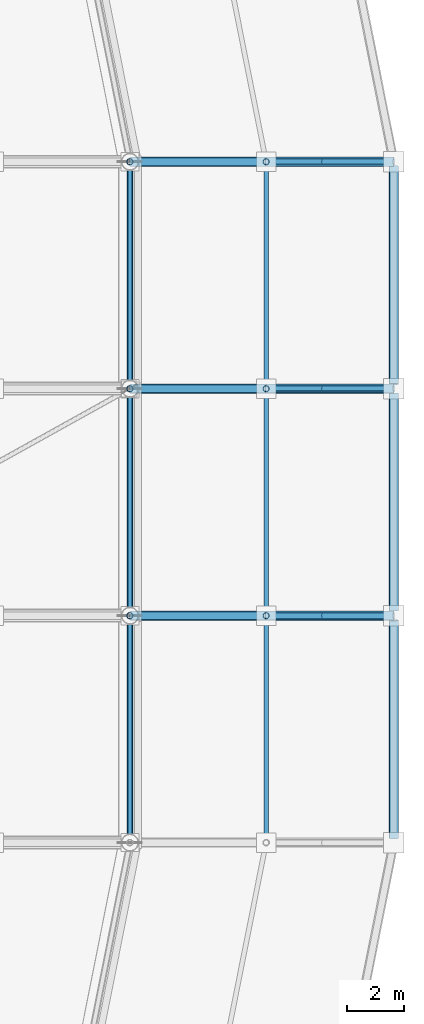
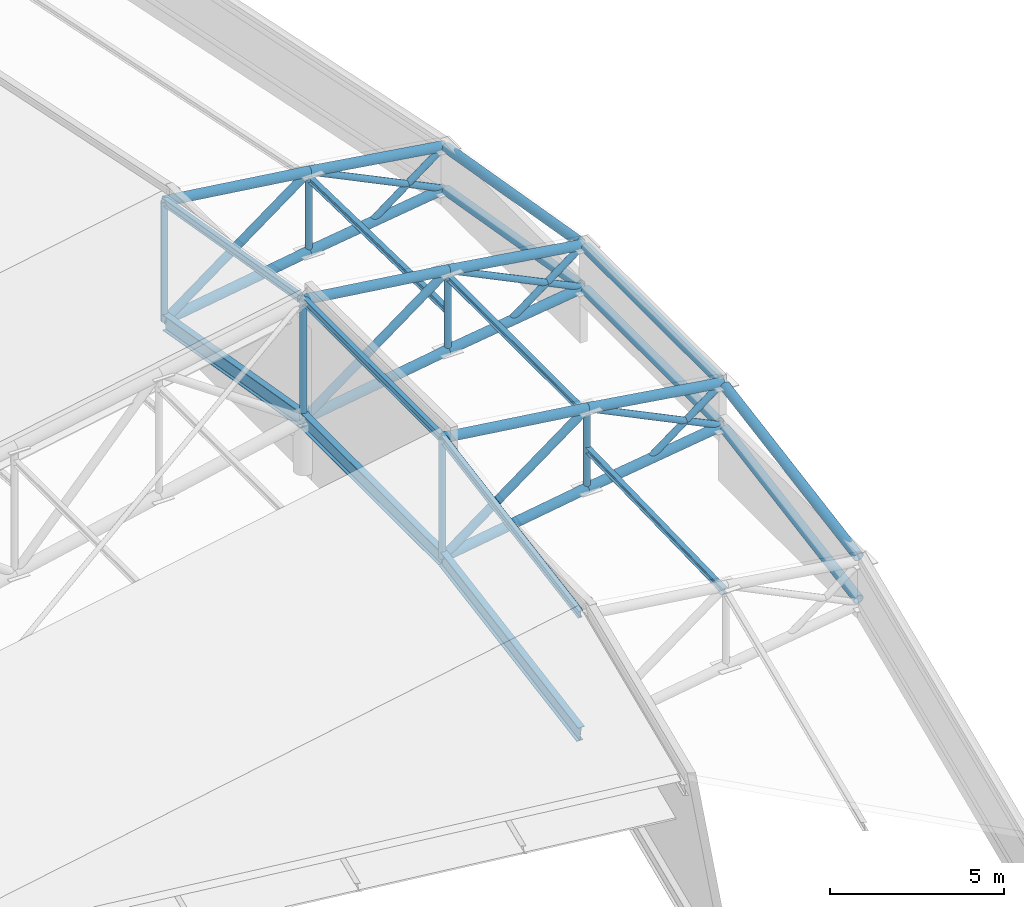
# One storey, part 86 of 146: 36 members, 6 beams.
"""IFC4 building model written with IfcOpenShell, lengths in metres."""

from ifc_helpers import new_model, si_unit, direction, frame, origin, origin_2d, place, context, subcontext, project, spatial, hollow_circle, i_section, extrude, material, material_profile, profile_set, type_object, element, save


model = new_model("IFC4")

# Units and contexts
model_context = context("Model", 3, precision=1e-05, world=origin(), true_north=direction((0.0, 1.0)))
body_context = subcontext(model_context, "Body", "Model", "MODEL_VIEW")
ifc_project = project(units=[si_unit("LENGTHUNIT", "METRE"), si_unit("AREAUNIT", "SQUARE_METRE"), si_unit("VOLUMEUNIT", "CUBIC_METRE"), si_unit("PLANEANGLEUNIT", "RADIAN"), si_unit("MASSUNIT", "GRAM", prefix="KILO")], contexts=[model_context])

# Site, building, storey
site_placement = place(None, origin())
site = spatial("IfcSite", under=ifc_project, at=site_placement, CompositionType="ELEMENT")
building_placement = place(site_placement, origin())
building = spatial("IfcBuilding", under=site, at=building_placement, Name="Candeia Ridge Stadium", CompositionType="ELEMENT")
storey_placement = place(building_placement, frame((0.0, 0.0, 31.800048828125)))
storey = spatial("IfcBuildingStorey", under=building, at=storey_placement, Name="RF", CompositionType="ELEMENT", Elevation=31.800048828125)

# Beams
ifc_material = material(Name="Steel ASTM A572 Grade 50", Category="steel")
ifc_material_profile_1 = material_profile(ifc_material, i_section(OverallWidth=0.14794921875, OverallDepth=0.26611328125, WebThickness=0.007568359375, FlangeThickness=0.012939453125, FilletRadius=0.010986328125, at=origin_2d()), Name="W250x44.8", Category="steel")
ifc_profile_set_1 = profile_set([ifc_material_profile_1], Name="Steel ASTM A572 Grade 50")
beam_type_1 = type_object("IfcBeamType", Name="Canopy Edge Spandrel W250x44.8", PredefinedType="SPANDREL", material=ifc_profile_set_1)
beam_1_placement = place(storey_placement, frame((193.0, 71.039306640625, 4.606689453125), z_axis=(0.0, 0.985328318339, 0.170669578656), x_axis=(-1.0, 0.0, 0.0)))
element("IfcBeam", 1, at=beam_1_placement, inside=storey, type_object=beam_type_1, Name="Roof crown cap ring beam bay 30", PredefinedType="SPANDREL", context=body_context, shape_type="SweptSolid", body=[
    extrude(i_section(OverallWidth=0.14794921875, OverallDepth=0.26611328125, WebThickness=0.007568359375, FlangeThickness=0.012939453125, FilletRadius=0.010986328125, at=origin_2d()), origin(), (0.0, 0.0, 1.0), 8.039306640625),
])
beam_2_placement = place(storey_placement, frame((193.0, 79.0400390625, 5.985595703125), z_axis=(0.0, 1.0, 0.0), x_axis=(-1.0, 0.0, 0.0)))
element("IfcBeam", 2, at=beam_2_placement, inside=storey, type_object=beam_type_1, Name="Roof crown cap ring beam bay 31", PredefinedType="SPANDREL", context=body_context, shape_type="SweptSolid", body=[
    extrude(i_section(OverallWidth=0.14794921875, OverallDepth=0.26611328125, WebThickness=0.007568359375, FlangeThickness=0.012939453125, FilletRadius=0.010986328125, at=origin_2d()), origin(), (0.0, 0.0, 1.0), 7.919921875),
])
beam_3_placement = place(storey_placement, frame((193.0, 87.039306640625, 5.978759765625), z_axis=(0.0, 0.985328318339, -0.170669578656), x_axis=(-1.0, 0.0, 0.0)))
element("IfcBeam", 3, at=beam_3_placement, inside=storey, type_object=beam_type_1, Name="Roof crown cap ring beam bay 32", PredefinedType="SPANDREL", context=body_context, shape_type="SweptSolid", body=[
    extrude(i_section(OverallWidth=0.14794921875, OverallDepth=0.26611328125, WebThickness=0.007568359375, FlangeThickness=0.012939453125, FilletRadius=0.010986328125, at=origin_2d()), origin(), (0.0, 0.0, 1.0), 8.039306640625),
])
ifc_material_profile_2 = material_profile(ifc_material, i_section(OverallWidth=0.2119140625, OverallDepth=0.5439453125, WebThickness=0.01318359375, FlangeThickness=0.021240234375, FilletRadius=0.013916015625, at=origin_2d()), Name="W530x123", Category="steel")
ifc_profile_set_2 = profile_set([ifc_material_profile_2], Name="Steel ASTM A572 Grade 50")
beam_type_2 = type_object("IfcBeamType", Name="Roof Perimeter Ring Beam W530x123", PredefinedType="BEAM", material=ifc_profile_set_2)
beam_4_placement = place(storey_placement, frame((193.0, 71.039306640625, 0.40673828125), z_axis=(0.0, 0.985328318339, 0.170669578656), x_axis=(-1.0, 0.0, 0.0)))
element("IfcBeam", 4, at=beam_4_placement, inside=storey, type_object=beam_type_2, Name="Roof perimeter ring beam bay 30", PredefinedType="BEAM", context=body_context, shape_type="SweptSolid", body=[
    extrude(i_section(OverallWidth=0.2119140625, OverallDepth=0.5439453125, WebThickness=0.01318359375, FlangeThickness=0.021240234375, FilletRadius=0.013916015625, at=origin_2d()), origin(), (0.0, 0.0, 1.0), 8.039306640625),
])
beam_5_placement = place(storey_placement, frame((193.0, 79.0400390625, 1.78564453125), z_axis=(0.0, 1.0, 0.0), x_axis=(-1.0, 0.0, 0.0)))
element("IfcBeam", 5, at=beam_5_placement, inside=storey, type_object=beam_type_2, Name="Roof perimeter ring beam bay 31", PredefinedType="BEAM", context=body_context, shape_type="SweptSolid", body=[
    extrude(i_section(OverallWidth=0.2119140625, OverallDepth=0.5439453125, WebThickness=0.01318359375, FlangeThickness=0.021240234375, FilletRadius=0.013916015625, at=origin_2d()), origin(), (0.0, 0.0, 1.0), 7.919921875),
])
beam_6_placement = place(storey_placement, frame((193.0, 87.039306640625, 1.77880859375), z_axis=(0.0, 0.985328318339, -0.170669578656), x_axis=(-1.0, 0.0, 0.0)))
element("IfcBeam", 6, at=beam_6_placement, inside=storey, type_object=beam_type_2, Name="Roof perimeter ring beam bay 32", PredefinedType="BEAM", context=body_context, shape_type="SweptSolid", body=[
    extrude(i_section(OverallWidth=0.2119140625, OverallDepth=0.5439453125, WebThickness=0.01318359375, FlangeThickness=0.021240234375, FilletRadius=0.013916015625, at=origin_2d()), origin(), (0.0, 0.0, 1.0), 8.039306640625),
])

# Members
ifc_material_profile_3 = material_profile(ifc_material, i_section(OverallWidth=0.1650390625, OverallDepth=0.200927734375, WebThickness=0.006103515625, FlangeThickness=0.01025390625, FilletRadius=0.010009765625, at=origin_2d()), Name="W200x35.9", Category="steel")
ifc_profile_set_3 = profile_set([ifc_material_profile_3], Name="Steel ASTM A572 Grade 50")
member_type_1 = type_object("IfcMemberType", Name="Roof Purlin W200x35.9", PredefinedType="PURLIN", material=ifc_profile_set_3)
member_1_placement = place(storey_placement, frame((197.800048828125, 71.050048828125, 3.739501953125), z_axis=(0.0, 0.999705859837, 0.024252707212), x_axis=(-1.0, 0.0, 0.0)))
element("IfcMember", 7, at=member_1_placement, inside=storey, type_object=member_type_1, Name="Saddle roof steel purlin bay 30-5", PredefinedType="PURLIN", context=body_context, shape_type="SweptSolid", body=[
    extrude(i_section(OverallWidth=0.1650390625, OverallDepth=0.200927734375, WebThickness=0.006103515625, FlangeThickness=0.01025390625, FilletRadius=0.010009765625, at=origin_2d()), origin(), (0.0, 0.0, 1.0), 7.90234375),
])
member_2_placement = place(storey_placement, frame((197.800048828125, 79.050048828125, 5.1240234375), z_axis=(0.0, 1.0, 0.0), x_axis=(-1.0, 0.0, 0.0)))
element("IfcMember", 8, at=member_2_placement, inside=storey, type_object=member_type_1, Name="Saddle roof steel purlin bay 31-5", PredefinedType="PURLIN", context=body_context, shape_type="SweptSolid", body=[
    extrude(i_section(OverallWidth=0.1650390625, OverallDepth=0.200927734375, WebThickness=0.006103515625, FlangeThickness=0.01025390625, FilletRadius=0.010009765625, at=origin_2d()), origin(), (0.0, 0.0, 1.0), 7.89990234375),
])
member_3_placement = place(storey_placement, frame((197.800048828125, 87.050048828125, 3.93115234375), z_axis=(0.0, 0.999705859837, -0.024252707212), x_axis=(-1.0, 0.0, 0.0)))
element("IfcMember", 9, at=member_3_placement, inside=storey, type_object=member_type_1, Name="Saddle roof steel purlin bay 32-5", PredefinedType="PURLIN", context=body_context, shape_type="SweptSolid", body=[
    extrude(i_section(OverallWidth=0.1650390625, OverallDepth=0.200927734375, WebThickness=0.006103515625, FlangeThickness=0.01025390625, FilletRadius=0.010009765625, at=origin_2d()), origin(), (0.0, 0.0, 1.0), 7.90234375),
])
ifc_material_profile_4 = material_profile(ifc_material, hollow_circle(Radius=0.161865234375, WallThickness=0.012451171875, at=origin_2d()), Name="CHS323x12", Category="steel")
ifc_profile_set_4 = profile_set([ifc_material_profile_4], Name="Steel ASTM A572 Grade 50")
member_type_2 = type_object("IfcMemberType", Name="Roof Truss Eaves Chord CHS323x12", PredefinedType="CHORD", material=ifc_profile_set_4)
for number, where, z_axis, x_axis, name in (
    (10, (202.300048828125, 71.15771484375, 3.308349609375), (0.0, 0.985333505605, 0.170639628258), (-1.0, 0.0, 0.0), "Saddle roof outer eaves top ring chord bay 30"),
    (11, (202.300048828125, 71.15771484375, 1.808349609375), (0.0, 0.985333505605, 0.170639628258), (-1.0, 0.0, 0.0), "Saddle roof outer eaves bottom ring chord bay 30"),
):
    element("IfcMember", number, at=place(storey_placement, frame(where, z_axis=z_axis, x_axis=x_axis)), inside=storey, type_object=member_type_2, Name=name, PredefinedType="CHORD", context=body_context, shape_type="SweptSolid", body=[
        extrude(hollow_circle(Radius=0.161865234375, WallThickness=0.012451171875, at=origin_2d()), origin(), (0.0, 0.0, 1.0), 7.799072265625),
    ])
member_4_placement = place(storey_placement, frame((193.0, 79.0, 5.985595703125), z_axis=(0.991184698971, 0.0, -0.132487329683), x_axis=(0.0, 1.0, 0.0)))
element("IfcMember", 12, at=member_4_placement, inside=storey, type_object=member_type_2, Name="Roof cantilever truss RT-31 top chord 7", PredefinedType="CHORD", context=body_context, shape_type="SweptSolid", body=[
    extrude(hollow_circle(Radius=0.161865234375, WallThickness=0.012451171875, at=origin_2d()), origin(), (0.0, 0.0, 1.0), 4.8427734375),
])
member_5_placement = place(storey_placement, frame((193.0, 79.0, 1.78564453125), z_axis=(0.987958563397, 0.0, 0.154718702848), x_axis=(0.0, 1.0, 0.0)))
element("IfcMember", 13, at=member_5_placement, inside=storey, type_object=member_type_2, Name="Roof cantilever truss RT-31 bottom chord 7", PredefinedType="CHORD", context=body_context, shape_type="SweptSolid", body=[
    extrude(hollow_circle(Radius=0.161865234375, WallThickness=0.012451171875, at=origin_2d()), origin(), (0.0, 0.0, 1.0), 4.858642578125),
])
member_6_placement = place(storey_placement, frame((197.800048828125, 79.0, 5.343994140625), z_axis=(0.988855931513, 0.0, -0.148875608179), x_axis=(0.0, 1.0, 0.0)))
element("IfcMember", 14, at=member_6_placement, inside=storey, type_object=member_type_2, Name="Roof cantilever truss RT-31 top chord 8", PredefinedType="CHORD", context=body_context, shape_type="SweptSolid", body=[
    extrude(hollow_circle(Radius=0.161865234375, WallThickness=0.012451171875, at=origin_2d()), origin(), (0.0, 0.0, 1.0), 4.55078125),
])
member_7_placement = place(storey_placement, frame((197.800048828125, 79.0, 2.537353515625), z_axis=(0.990367404155, 0.0, 0.138464453153), x_axis=(0.0, 1.0, 0.0)))
element("IfcMember", 15, at=member_7_placement, inside=storey, type_object=member_type_2, Name="Roof cantilever truss RT-31 bottom chord 8", PredefinedType="CHORD", context=body_context, shape_type="SweptSolid", body=[
    extrude(hollow_circle(Radius=0.161865234375, WallThickness=0.012451171875, at=origin_2d()), origin(), (0.0, 0.0, 1.0), 4.543701171875),
])
for number, where, z_axis, x_axis, name in (
    (16, (202.300048828125, 79.159912109375, 4.66650390625), (0.0, 1.0, 0.0), (-1.0, 0.0, 0.0), "Saddle roof outer eaves top ring chord bay 31"),
    (17, (202.300048828125, 79.159912109375, 3.16650390625), (0.0, 1.0, 0.0), (-1.0, 0.0, 0.0), "Saddle roof outer eaves bottom ring chord bay 31"),
):
    element("IfcMember", number, at=place(storey_placement, frame(where, z_axis=z_axis, x_axis=x_axis)), inside=storey, type_object=member_type_2, Name=name, PredefinedType="CHORD", context=body_context, shape_type="SweptSolid", body=[
        extrude(hollow_circle(Radius=0.161865234375, WallThickness=0.012451171875, at=origin_2d()), origin(), (0.0, 0.0, 1.0), 7.68017578125),
    ])
member_8_placement = place(storey_placement, frame((193.0, 87.0, 5.985595703125), z_axis=(0.991184698971, 0.0, -0.132487329683), x_axis=(0.0, 1.0, 0.0)))
element("IfcMember", 18, at=member_8_placement, inside=storey, type_object=member_type_2, Name="Roof cantilever truss RT-32 top chord 7", PredefinedType="CHORD", context=body_context, shape_type="SweptSolid", body=[
    extrude(hollow_circle(Radius=0.161865234375, WallThickness=0.012451171875, at=origin_2d()), origin(), (0.0, 0.0, 1.0), 4.8427734375),
])
member_9_placement = place(storey_placement, frame((193.0, 87.0, 1.78564453125), z_axis=(0.987958563397, 0.0, 0.154718702848), x_axis=(0.0, 1.0, 0.0)))
element("IfcMember", 19, at=member_9_placement, inside=storey, type_object=member_type_2, Name="Roof cantilever truss RT-32 bottom chord 7", PredefinedType="CHORD", context=body_context, shape_type="SweptSolid", body=[
    extrude(hollow_circle(Radius=0.161865234375, WallThickness=0.012451171875, at=origin_2d()), origin(), (0.0, 0.0, 1.0), 4.858642578125),
])
member_10_placement = place(storey_placement, frame((197.800048828125, 87.0, 5.343994140625), z_axis=(0.988855931513, 0.0, -0.148875608179), x_axis=(0.0, 1.0, 0.0)))
element("IfcMember", 20, at=member_10_placement, inside=storey, type_object=member_type_2, Name="Roof cantilever truss RT-32 top chord 8", PredefinedType="CHORD", context=body_context, shape_type="SweptSolid", body=[
    extrude(hollow_circle(Radius=0.161865234375, WallThickness=0.012451171875, at=origin_2d()), origin(), (0.0, 0.0, 1.0), 4.55078125),
])
member_11_placement = place(storey_placement, frame((197.800048828125, 87.0, 2.537353515625), z_axis=(0.990367404155, 0.0, 0.138464453153), x_axis=(0.0, 1.0, 0.0)))
element("IfcMember", 21, at=member_11_placement, inside=storey, type_object=member_type_2, Name="Roof cantilever truss RT-32 bottom chord 8", PredefinedType="CHORD", context=body_context, shape_type="SweptSolid", body=[
    extrude(hollow_circle(Radius=0.161865234375, WallThickness=0.012451171875, at=origin_2d()), origin(), (0.0, 0.0, 1.0), 4.543701171875),
])
for number, where, z_axis, x_axis, name in (
    (22, (202.300048828125, 87.15771484375, 4.63916015625), (0.0, 0.985333505605, -0.170639628258), (-1.0, 0.0, 0.0), "Saddle roof outer eaves top ring chord bay 32"),
    (23, (202.300048828125, 87.15771484375, 3.13916015625), (0.0, 0.985333505605, -0.170639628258), (-1.0, 0.0, 0.0), "Saddle roof outer eaves bottom ring chord bay 32"),
):
    element("IfcMember", number, at=place(storey_placement, frame(where, z_axis=z_axis, x_axis=x_axis)), inside=storey, type_object=member_type_2, Name=name, PredefinedType="CHORD", context=body_context, shape_type="SweptSolid", body=[
        extrude(hollow_circle(Radius=0.161865234375, WallThickness=0.012451171875, at=origin_2d()), origin(), (0.0, 0.0, 1.0), 7.799072265625),
    ])
member_12_placement = place(storey_placement, frame((193.0, 95.0, 4.599853515625), z_axis=(0.991184698971, 0.0, -0.132487329683), x_axis=(0.0, 1.0, 0.0)))
element("IfcMember", 24, at=member_12_placement, inside=storey, type_object=member_type_2, Name="Roof cantilever truss RT-33 top chord 7", PredefinedType="CHORD", context=body_context, shape_type="SweptSolid", body=[
    extrude(hollow_circle(Radius=0.161865234375, WallThickness=0.012451171875, at=origin_2d()), origin(), (0.0, 0.0, 1.0), 4.8427734375),
])
member_13_placement = place(storey_placement, frame((193.0, 95.0, 0.39990234375), z_axis=(0.987950881294, 0.0, 0.154767749066), x_axis=(0.0, 1.0, 0.0)))
element("IfcMember", 25, at=member_13_placement, inside=storey, type_object=member_type_2, Name="Roof cantilever truss RT-33 bottom chord 7", PredefinedType="CHORD", context=body_context, shape_type="SweptSolid", body=[
    extrude(hollow_circle(Radius=0.161865234375, WallThickness=0.012451171875, at=origin_2d()), origin(), (0.0, 0.0, 1.0), 4.858642578125),
])
member_14_placement = place(storey_placement, frame((197.800048828125, 95.0, 3.958251953125), z_axis=(0.988863828185, 0.0, -0.148823147753), x_axis=(0.0, 1.0, 0.0)))
element("IfcMember", 26, at=member_14_placement, inside=storey, type_object=member_type_2, Name="Roof cantilever truss RT-33 top chord 8", PredefinedType="CHORD", context=body_context, shape_type="SweptSolid", body=[
    extrude(hollow_circle(Radius=0.161865234375, WallThickness=0.012451171875, at=origin_2d()), origin(), (0.0, 0.0, 1.0), 4.55078125),
])
member_15_placement = place(storey_placement, frame((197.800048828125, 95.0, 1.15185546875), z_axis=(0.990367404155, 0.0, 0.138464453153), x_axis=(0.0, 1.0, 0.0)))
element("IfcMember", 27, at=member_15_placement, inside=storey, type_object=member_type_2, Name="Roof cantilever truss RT-33 bottom chord 8", PredefinedType="CHORD", context=body_context, shape_type="SweptSolid", body=[
    extrude(hollow_circle(Radius=0.161865234375, WallThickness=0.012451171875, at=origin_2d()), origin(), (0.0, 0.0, 1.0), 4.543701171875),
])
ifc_material_profile_5 = material_profile(ifc_material, hollow_circle(Radius=0.136474609375, WallThickness=0.010009765625, at=origin_2d()), Name="CHS273x10", Category="steel")
ifc_profile_set_5 = profile_set([ifc_material_profile_5], Name="Steel ASTM A572 Grade 50")
member_type_3 = type_object("IfcMemberType", Name="Roof Truss Heavy Web Brace CHS273x10", PredefinedType="BRACE", material=ifc_profile_set_5)
for number, where, z_axis, x_axis, name in (
    (28, (193.0, 79.0, 1.78564453125), (0.803336374347, 0.0, 0.595525540721), (0.0, 1.0, 0.0), "Roof cantilever truss RT-31 diagonal web 7"),
    (29, (193.0, 87.0, 1.78564453125), (0.803336374347, 0.0, 0.595525540721), (0.0, 1.0, 0.0), "Roof cantilever truss RT-32 diagonal web 7"),
    (30, (193.0, 95.0, 0.39990234375), (0.803336374347, 0.0, 0.595525540721), (0.0, 1.0, 0.0), "Roof cantilever truss RT-33 diagonal web 7"),
):
    element("IfcMember", number, at=place(storey_placement, frame(where, z_axis=z_axis, x_axis=x_axis)), inside=storey, type_object=member_type_3, Name=name, PredefinedType="BRACE", context=body_context, shape_type="SweptSolid", body=[
        extrude(hollow_circle(Radius=0.136474609375, WallThickness=0.010009765625, at=origin_2d()), origin(), (0.0, 0.0, 1.0), 5.97509765625),
    ])
ifc_material_profile_6 = material_profile(ifc_material, hollow_circle(Radius=0.109619140625, WallThickness=0.010009765625, at=origin_2d()), Name="CHS219x10", Category="steel")
ifc_profile_set_6 = profile_set([ifc_material_profile_6], Name="Steel ASTM A572 Grade 50")
member_type_4 = type_object("IfcMemberType", Name="Roof Truss Inner Web Brace CHS219x10", PredefinedType="BRACE", material=ifc_profile_set_6)
member_16_placement = place(storey_placement, frame((197.800048828125, 79.0, 5.343994140625), z_axis=(0.900153692386, 0.0, -0.435572416579), x_axis=(0.0, 1.0, 0.0)))
element("IfcMember", 31, at=member_16_placement, inside=storey, type_object=member_type_4, Name="Roof cantilever truss RT-31 diagonal web 8", PredefinedType="BRACE", context=body_context, shape_type="SweptSolid", body=[
    extrude(hollow_circle(Radius=0.109619140625, WallThickness=0.010009765625, at=origin_2d()), origin(), (0.0, 0.0, 1.0), 4.999267578125),
])
member_17_placement = place(storey_placement, frame((193.0, 79.0, 1.78564453125), z_axis=(0.0, 0.0, 1.0), x_axis=(1.0, 0.0, 0.0)))
element("IfcMember", 32, at=member_17_placement, inside=storey, type_object=member_type_4, Name="Roof cantilever truss RT-31 vertical post 6", PredefinedType="BRACE", context=body_context, shape_type="SweptSolid", body=[
    extrude(hollow_circle(Radius=0.109619140625, WallThickness=0.010009765625, at=origin_2d()), origin(), (0.0, 0.0, 1.0), 4.199951171875),
])
member_18_placement = place(storey_placement, frame((197.800048828125, 79.0, 2.537353515625), z_axis=(0.0, 0.0, 1.0), x_axis=(1.0, 0.0, 0.0)))
element("IfcMember", 33, at=member_18_placement, inside=storey, type_object=member_type_4, Name="Roof cantilever truss RT-31 vertical post 7", PredefinedType="BRACE", context=body_context, shape_type="SweptSolid", body=[
    extrude(hollow_circle(Radius=0.109619140625, WallThickness=0.010009765625, at=origin_2d()), origin(), (0.0, 0.0, 1.0), 2.806640625),
])
member_19_placement = place(storey_placement, frame((199.824951171875, 79.0, 2.820556640625), z_axis=(0.80161013398, 0.0, 0.597847131883), x_axis=(0.0, 1.0, 0.0)))
element("IfcMember", 34, at=member_19_placement, inside=storey, type_object=member_type_4, Name="Roof cantilever truss RT-31 vertical post 8", PredefinedType="BRACE", context=body_context, shape_type="SweptSolid", body=[
    extrude(hollow_circle(Radius=0.109619140625, WallThickness=0.010009765625, at=origin_2d()), origin(), (0.0, 0.0, 1.0), 3.087646484375),
])
member_20_placement = place(storey_placement, frame((197.800048828125, 87.0, 5.343994140625), z_axis=(0.900153692386, 0.0, -0.435572416579), x_axis=(0.0, 1.0, 0.0)))
element("IfcMember", 35, at=member_20_placement, inside=storey, type_object=member_type_4, Name="Roof cantilever truss RT-32 diagonal web 8", PredefinedType="BRACE", context=body_context, shape_type="SweptSolid", body=[
    extrude(hollow_circle(Radius=0.109619140625, WallThickness=0.010009765625, at=origin_2d()), origin(), (0.0, 0.0, 1.0), 4.999267578125),
])
member_21_placement = place(storey_placement, frame((193.0, 87.0, 1.78564453125), z_axis=(0.0, 0.0, 1.0), x_axis=(1.0, 0.0, 0.0)))
element("IfcMember", 36, at=member_21_placement, inside=storey, type_object=member_type_4, Name="Roof cantilever truss RT-32 vertical post 6", PredefinedType="BRACE", context=body_context, shape_type="SweptSolid", body=[
    extrude(hollow_circle(Radius=0.109619140625, WallThickness=0.010009765625, at=origin_2d()), origin(), (0.0, 0.0, 1.0), 4.199951171875),
])
member_22_placement = place(storey_placement, frame((197.800048828125, 87.0, 2.537353515625), z_axis=(0.0, 0.0, 1.0), x_axis=(1.0, 0.0, 0.0)))
element("IfcMember", 37, at=member_22_placement, inside=storey, type_object=member_type_4, Name="Roof cantilever truss RT-32 vertical post 7", PredefinedType="BRACE", context=body_context, shape_type="SweptSolid", body=[
    extrude(hollow_circle(Radius=0.109619140625, WallThickness=0.010009765625, at=origin_2d()), origin(), (0.0, 0.0, 1.0), 2.806640625),
])
member_23_placement = place(storey_placement, frame((199.824951171875, 87.0, 2.820556640625), z_axis=(0.80161013398, 0.0, 0.597847131883), x_axis=(0.0, 1.0, 0.0)))
element("IfcMember", 38, at=member_23_placement, inside=storey, type_object=member_type_4, Name="Roof cantilever truss RT-32 vertical post 8", PredefinedType="BRACE", context=body_context, shape_type="SweptSolid", body=[
    extrude(hollow_circle(Radius=0.109619140625, WallThickness=0.010009765625, at=origin_2d()), origin(), (0.0, 0.0, 1.0), 3.087646484375),
])
member_24_placement = place(storey_placement, frame((197.800048828125, 95.0, 3.958251953125), z_axis=(0.900172839827, 0.0, -0.43553284427), x_axis=(0.0, 1.0, 0.0)))
element("IfcMember", 39, at=member_24_placement, inside=storey, type_object=member_type_4, Name="Roof cantilever truss RT-33 diagonal web 8", PredefinedType="BRACE", context=body_context, shape_type="SweptSolid", body=[
    extrude(hollow_circle(Radius=0.109619140625, WallThickness=0.010009765625, at=origin_2d()), origin(), (0.0, 0.0, 1.0), 4.9990234375),
])
member_25_placement = place(storey_placement, frame((193.0, 95.0, 0.39990234375), z_axis=(0.0, 0.0, 1.0), x_axis=(1.0, 0.0, 0.0)))
element("IfcMember", 40, at=member_25_placement, inside=storey, type_object=member_type_4, Name="Roof cantilever truss RT-33 vertical post 6", PredefinedType="BRACE", context=body_context, shape_type="SweptSolid", body=[
    extrude(hollow_circle(Radius=0.109619140625, WallThickness=0.010009765625, at=origin_2d()), origin(), (0.0, 0.0, 1.0), 4.199951171875),
])
member_26_placement = place(storey_placement, frame((197.800048828125, 95.0, 1.15185546875), z_axis=(0.0, 0.0, 1.0), x_axis=(1.0, 0.0, 0.0)))
element("IfcMember", 41, at=member_26_placement, inside=storey, type_object=member_type_4, Name="Roof cantilever truss RT-33 vertical post 7", PredefinedType="BRACE", context=body_context, shape_type="SweptSolid", body=[
    extrude(hollow_circle(Radius=0.109619140625, WallThickness=0.010009765625, at=origin_2d()), origin(), (0.0, 0.0, 1.0), 2.806396484375),
])
member_27_placement = place(storey_placement, frame((199.824951171875, 95.0, 1.43505859375), z_axis=(0.80161013398, 0.0, 0.597847131883), x_axis=(0.0, 1.0, 0.0)))
element("IfcMember", 42, at=member_27_placement, inside=storey, type_object=member_type_4, Name="Roof cantilever truss RT-33 vertical post 8", PredefinedType="BRACE", context=body_context, shape_type="SweptSolid", body=[
    extrude(hollow_circle(Radius=0.109619140625, WallThickness=0.010009765625, at=origin_2d()), origin(), (0.0, 0.0, 1.0), 3.087646484375),
])

save(model, "model.ifc")
